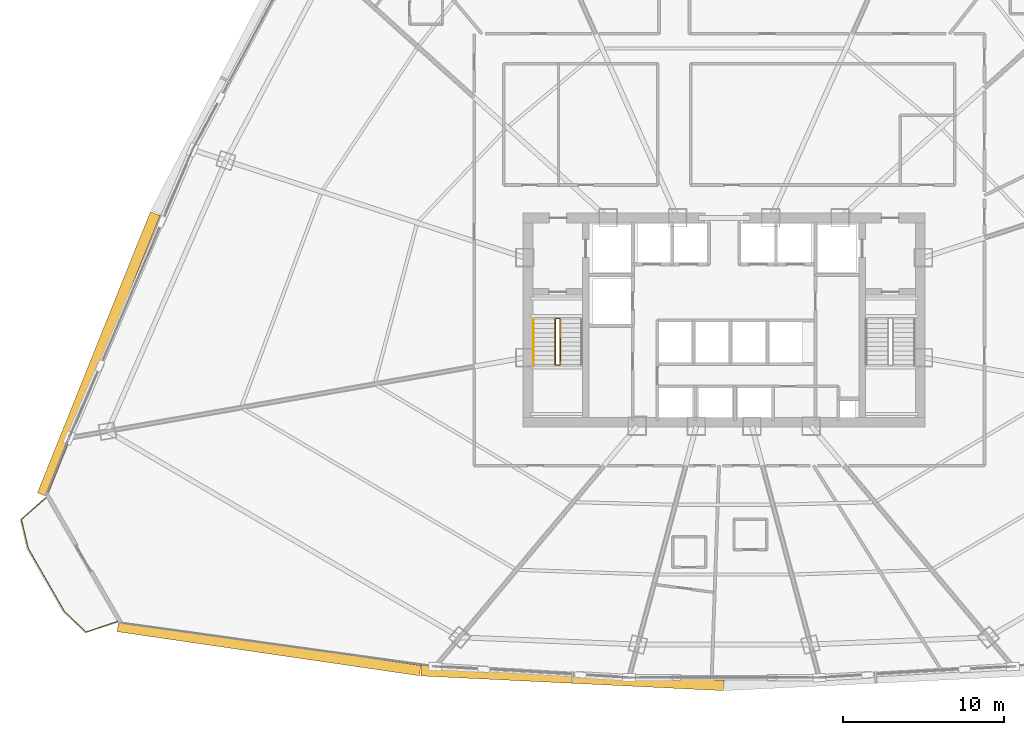
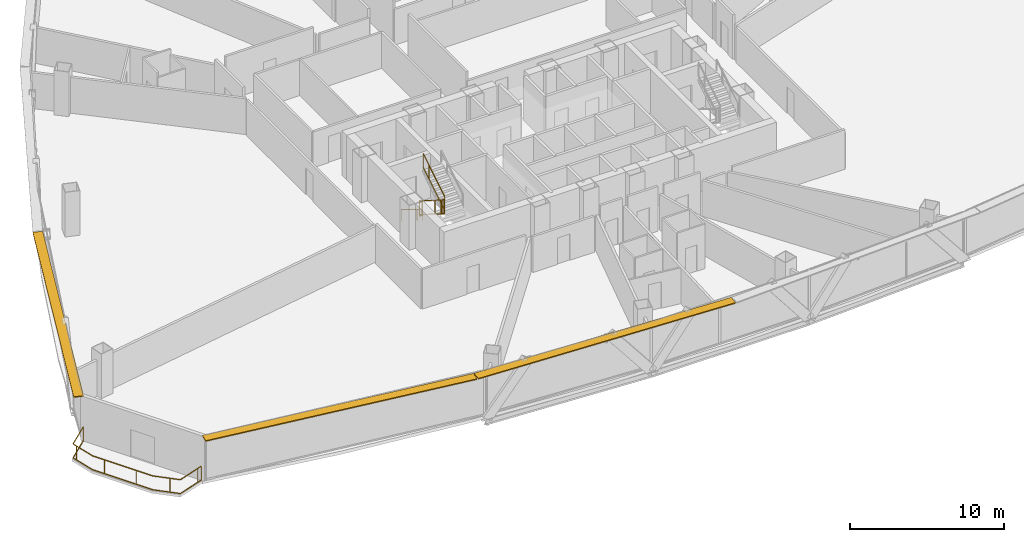
# One storey, part 35 of 38: 6 railings, 3 shading devices.
"""IFC4 building model written with IfcOpenShell, lengths in metres."""

import ifcopenshell
import ifcopenshell.guid

model = None  # the IFC model being written
_history = None  # IfcOwnerHistory: only IFC2X3 demands one
_inside = {}  # id of a spatial element -> (the spatial element, [elements in it])
_under = {}  # id of a project, library or spatial element -> (it, [spatial elements below it])
_declared = {}  # id of a project -> (the project, [libraries it declares])
_typed = {}  # id of a type object -> (the type object, [elements of that type])
_made_of = {}  # id of a material, layer set ... -> (it, [elements and type objects made of it])


def new_model(schema):
    """Start an empty IFC model of exactly this schema.

    Asked for "IFC4X3", IfcOpenShell would pick the latest addendum, in which some entities
    have other attributes; the version numbers below select the first issue.
    IFC2X3 requires an IfcOwnerHistory on every rooted entity: one is made here for all.
    """
    global model, _history
    if schema == "IFC4X3":
        model = ifcopenshell.file(schema_version=(4, 3, 0, 0))
    else:
        model = ifcopenshell.file(schema=schema)
    _inside.clear()
    _under.clear()
    _declared.clear()
    _typed.clear()
    _made_of.clear()
    _history = None
    if model.schema == "IFC2X3":
        org = make("IfcOrganization", Name="unknown")
        user = make(
            "IfcPersonAndOrganization",
            ThePerson=make("IfcPerson", FamilyName="unknown"),
            TheOrganization=org,
        )
        app = make(
            "IfcApplication",
            ApplicationDeveloper=org,
            Version="unknown",
            ApplicationFullName="unknown",
            ApplicationIdentifier="unknown",
        )
        _history = make(
            "IfcOwnerHistory",
            OwningUser=user,
            OwningApplication=app,
            ChangeAction="ADDED",
            CreationDate=0,
        )
    return model


def make(cls, **values):
    """One entity of the class cls with the attributes given. An attribute that is None is left unset."""
    return model.create_entity(
        cls, **{name: value for name, value in values.items() if value is not None}
    )


def rooted(cls, **values):
    """An entity with a GlobalId (a new one), such as an element, a storey or a relation."""
    return make(cls, GlobalId=ifcopenshell.guid.new(), OwnerHistory=_history, **values)


def si_unit(unit_type, name, prefix=None):
    """IfcSIUnit, for example si_unit("LENGTHUNIT", "METRE", prefix="MILLI")."""
    return make("IfcSIUnit", UnitType=unit_type, Prefix=prefix, Name=name)


def assignment(units):
    """IfcUnitAssignment: the units of a project."""
    return None if units is None else make("IfcUnitAssignment", Units=units)


def point(xyz):
    """IfcCartesianPoint."""
    return None if xyz is None else make("IfcCartesianPoint", Coordinates=xyz)


def direction(xyz):
    """IfcDirection."""
    return None if xyz is None else make("IfcDirection", DirectionRatios=xyz)


def frame(location, z_axis=None, x_axis=None):
    """IfcAxis2Placement3D, a coordinate frame: its origin and axes. An axis left out is left unset."""
    return make(
        "IfcAxis2Placement3D",
        Location=point(location),
        Axis=direction(z_axis),
        RefDirection=direction(x_axis),
    )


def frame_2d(location, x_axis=None):
    """IfcAxis2Placement2D, a coordinate frame in the plane: its origin and x axis."""
    return make(
        "IfcAxis2Placement2D", Location=point(location), RefDirection=direction(x_axis)
    )


def origin():
    """The frame at (0, 0, 0) with its axes left unset."""
    return frame((0.0, 0.0, 0.0))


def origin_2d():
    """The frame at (0, 0) in the plane with its x axis left unset."""
    return frame_2d((0.0, 0.0))


def place(relative_to, where):
    """IfcLocalPlacement: puts the frame where relative to a parent placement (None: the world)."""
    return make(
        "IfcLocalPlacement", PlacementRelTo=relative_to, RelativePlacement=where
    )


def context(
    kind, dimensions, precision=None, world=None, true_north=None, identifier=None
):
    """IfcGeometricRepresentationContext, for example the 3D "Model" context."""
    return make(
        "IfcGeometricRepresentationContext",
        ContextIdentifier=identifier,
        ContextType=kind,
        CoordinateSpaceDimension=dimensions,
        Precision=precision,
        WorldCoordinateSystem=world,
        TrueNorth=true_north,
    )


def subcontext(parent, identifier, kind, view, scale=None):
    """IfcGeometricRepresentationSubContext, for example "Body" below "Model"."""
    return make(
        "IfcGeometricRepresentationSubContext",
        ContextIdentifier=identifier,
        ContextType=kind,
        ParentContext=parent,
        TargetScale=scale,
        TargetView=view,
    )


def project(units=None, contexts=None):
    """IfcProject with its units and contexts."""
    return rooted(
        "IfcProject",
        Name="project",
        RepresentationContexts=contexts,
        UnitsInContext=assignment(units),
    )


def spatial(cls, under=None, at=None, **own):
    """A site, building, storey or space (cls), placed at a placement, below another one or the project."""
    s = rooted(cls, ObjectPlacement=at, **own)
    if under is not None:
        _under.setdefault(under.id(), (under, []))[1].append(s)
    return s


def profile(cls, at=None, kind="AREA", **sizes):
    """A parametric profile (cls). Its sizes go by their IFC names, for example OverallWidth=200.0."""
    return make(cls, ProfileType=kind, Position=at, **sizes)


def rectangle(**sizes):
    """IfcRectangleProfileDef."""
    return profile("IfcRectangleProfileDef", **sizes)


def extrude(swept, where, along, depth):
    """IfcExtrudedAreaSolid: the profile swept, set in the frame where, extruded along a direction by depth."""
    return make(
        "IfcExtrudedAreaSolid",
        SweptArea=swept,
        Position=where,
        ExtrudedDirection=direction(along),
        Depth=depth,
    )


def shape(context_of_items, identifier, shape_type, items):
    """IfcShapeRepresentation: the items that make up one representation, for example the "Body"."""
    return make(
        "IfcShapeRepresentation",
        ContextOfItems=context_of_items,
        RepresentationIdentifier=identifier,
        RepresentationType=shape_type,
        Items=items,
    )


def source(mapping_origin, context_of_items, identifier, shape_type, items):
    """IfcRepresentationMap: a shape defined once, which mapped items show again and again."""
    return make(
        "IfcRepresentationMap",
        MappingOrigin=mapping_origin,
        MappedRepresentation=shape(context_of_items, identifier, shape_type, items),
    )


def transform(
    local_origin,
    x_axis=None,
    y_axis=None,
    z_axis=None,
    scale=None,
    scale2=None,
    scale3=None,
    uniform=True,
):
    """IfcCartesianTransformationOperator3D, or its non-uniform kind. x_axis, y_axis, z_axis: its Axis1, 2, 3."""
    if uniform:
        return make(
            "IfcCartesianTransformationOperator3D",
            Axis1=direction(x_axis),
            Axis2=direction(y_axis),
            LocalOrigin=point(local_origin),
            Scale=scale,
            Axis3=direction(z_axis),
        )
    return make(
        "IfcCartesianTransformationOperator3DnonUniform",
        Axis1=direction(x_axis),
        Axis2=direction(y_axis),
        LocalOrigin=point(local_origin),
        Scale=scale,
        Axis3=direction(z_axis),
        Scale2=scale2,
        Scale3=scale3,
    )


def mapped(mapping_source, mapping_target):
    """IfcMappedItem: shows the shape of a source again, moved by a transform."""
    return make(
        "IfcMappedItem", MappingSource=mapping_source, MappingTarget=mapping_target
    )


def material(Name=None, Category=None):
    """IfcMaterial."""
    return make("IfcMaterial", Name=Name, Category=Category)


def layer(
    of_material, thickness, ventilated=None, Name=None, Category=None, Priority=None
):
    """IfcMaterialLayer: one layer of a wall or slab, of a material (None: an air gap)."""
    return make(
        "IfcMaterialLayer",
        Material=of_material,
        LayerThickness=thickness,
        IsVentilated=ventilated,
        Name=Name,
        Category=Category,
        Priority=Priority,
    )


def layer_set(layers, Name=None):
    """IfcMaterialLayerSet."""
    return make("IfcMaterialLayerSet", MaterialLayers=layers, LayerSetName=Name)


def made_of(thing, what):
    """Note that an element or type object is made of a material, layer set ...; save() writes the relation."""
    if what is not None:
        _made_of.setdefault(what.id(), (what, []))[1].append(thing)
    return thing


def type_object(cls, material=None, **own):
    """A type object (cls), such as IfcWallType, which elements share."""
    return made_of(rooted(cls, **own), material)


def element(
    cls,
    number,
    at=None,
    inside=None,
    cuts=None,
    type_object=None,
    material=None,
    context=None,
    identifier="Body",
    shape_type=None,
    held_by="IfcProductDefinitionShape",
    body=None,
    shapes=None,
    **own,
):
    """One element of the class cls, such as IfcWall. Its Tag is "e" and its number.

    at: its placement. inside: the storey or other place that contains it. cuts: it is an
    opening in that element (IfcRelVoidsElement). A single representation is given by context,
    identifier, shape_type and body (its items); several are given by shapes. held_by: the class
    of the entity that holds the representations. save() writes the other relations.
    """
    e = rooted(cls, Tag="e%d" % number, ObjectPlacement=at, **own)
    if body is not None:
        shapes = [shape(context, identifier, shape_type, body)]
    if shapes is not None:
        e.Representation = make(held_by, Representations=shapes)
    if inside is not None:
        _inside.setdefault(inside.id(), (inside, []))[1].append(e)
    if cuts is not None:
        rooted(
            "IfcRelVoidsElement", RelatingBuildingElement=cuts, RelatedOpeningElement=e
        )
    if type_object is not None:
        _typed.setdefault(type_object.id(), (type_object, []))[1].append(e)
    return made_of(e, material)


def aggregate(whole, parts):
    """IfcRelAggregates: a whole, such as a stair, and the parts it consists of."""
    return rooted("IfcRelAggregates", RelatingObject=whole, RelatedObjects=parts)


def save(model, path):
    """Write the relations noted so far, then the file.

    IfcRelAggregates (storeys below a building ...), IfcRelContainedInSpatialStructure (elements
    in a storey), IfcRelDefinesByType, IfcRelAssociatesMaterial and IfcRelDeclares: one each for
    every whole, place, type object, material and project.
    """
    for whole, parts in _under.values():
        aggregate(whole, parts)
    for where, things in _inside.values():
        rooted(
            "IfcRelContainedInSpatialStructure",
            RelatedElements=things,
            RelatingStructure=where,
        )
    for kind, things in _typed.values():
        rooted("IfcRelDefinesByType", RelatedObjects=things, RelatingType=kind)
    for what, things in _made_of.values():
        rooted("IfcRelAssociatesMaterial", RelatedObjects=things, RelatingMaterial=what)
    for by, libraries in _declared.values():
        rooted("IfcRelDeclares", RelatingContext=by, RelatedDefinitions=libraries)
    model.write(path)


model = new_model("IFC4")

# Units and contexts
model_context = context("Model", 3, precision=1e-05, world=origin(), true_north=direction((0.0, 1.0)))
body_context = subcontext(model_context, "Body", "Model", "MODEL_VIEW")
ifc_project = project(units=[si_unit("LENGTHUNIT", "METRE"), si_unit("AREAUNIT", "SQUARE_METRE"), si_unit("VOLUMEUNIT", "CUBIC_METRE"), si_unit("PLANEANGLEUNIT", "RADIAN"), si_unit("MASSUNIT", "GRAM", prefix="KILO"), si_unit("THERMODYNAMICTEMPERATUREUNIT", "KELVIN"), si_unit("POWERUNIT", "WATT")], contexts=[model_context])

# Site, building, storey
site_placement = place(None, origin())
site = spatial("IfcSite", under=ifc_project, at=site_placement, CompositionType="ELEMENT")
building_placement = place(site_placement, origin())
building = spatial("IfcBuilding", under=site, at=building_placement, Name="Yunzhuo Pagoda Commons", CompositionType="ELEMENT")
storey_placement = place(building_placement, frame((0.0, 0.0, 81.179931640625)))
storey = spatial("IfcBuildingStorey", under=building, at=storey_placement, Name="L20", CompositionType="ELEMENT", Elevation=81.179931640625)

# Railings
ifc_material = material(Name="Anodized aluminium 6063-T6", Category="aluminium")
railing_type_1 = type_object("IfcRailingType", Name="GR-ST1 Stair Well Guardrail 1150", PredefinedType="GUARDRAIL", material=ifc_material)
railing_1_placement = place(storey_placement, frame((37.5, 33.89990234375, 0.1728515625)))
element("IfcRailing", 1, at=railing_1_placement, inside=storey, type_object=railing_type_1, Name="L20 ST1 stair guard 1", PredefinedType="GUARDRAIL", context=body_context, shape_type="SweptSolid", body=[
    extrude(rectangle(XDim=0.048095703125, YDim=0.048095703125, at=origin_2d()), frame((0.0, 0.0, 1.1259765625), z_axis=(0.0, -0.851069175582, 0.525053576669), x_axis=(1.0, 0.0, 0.0)), (0.0, 0.0, 1.0), 3.289794921875),
    extrude(rectangle(XDim=0.048095703125, YDim=0.048095703125, at=origin_2d()), frame((0.0, 0.0, 0.02392578125), z_axis=(0.0, -0.851069175582, 0.525053576669), x_axis=(1.0, 0.0, 0.0)), (0.0, 0.0, 1.0), 3.289794921875),
    extrude(rectangle(XDim=0.0419921875, YDim=0.0419921875, at=origin_2d()), origin(), (0.0, 0.0, 1.0), 1.101806640625),
    extrude(rectangle(XDim=0.0419921875, YDim=0.0419921875, at=origin_2d()), frame((0.0, -2.04248046875, 1.260009765625)), (0.0, 0.0, 1.0), 1.101806640625),
    extrude(rectangle(XDim=0.0419921875, YDim=0.0419921875, at=origin_2d()), frame((0.0, -2.7998046875, 1.727294921875)), (0.0, 0.0, 1.0), 1.101806640625),
])
railing_2_placement = place(storey_placement, frame((37.550048828125, 31.050048828125, 1.900146484375)))
element("IfcRailing", 2, at=railing_2_placement, inside=storey, type_object=railing_type_1, Name="L20 ST1 stair guard 2", PredefinedType="GUARDRAIL", context=body_context, shape_type="SweptSolid", body=[
    extrude(rectangle(XDim=0.048095703125, YDim=0.048095703125, at=origin_2d()), frame((0.0, 0.0, 1.1259765625), z_axis=(1.0, 0.0, 0.0), x_axis=(0.0, 1.0, 0.0)), (0.0, 0.0, 1.0), 0.199951171875),
    extrude(rectangle(XDim=0.048095703125, YDim=0.048095703125, at=origin_2d()), frame((0.0, 0.0, 0.02392578125), z_axis=(1.0, 0.0, 0.0), x_axis=(0.0, 1.0, 0.0)), (0.0, 0.0, 1.0), 0.199951171875),
    extrude(rectangle(XDim=0.0419921875, YDim=0.0419921875, at=origin_2d()), origin(), (0.0, 0.0, 1.0), 1.101806640625),
    extrude(rectangle(XDim=0.0419921875, YDim=0.0419921875, at=origin_2d()), frame((0.199951171875, 0.0, 0.0)), (0.0, 0.0, 1.0), 1.101806640625),
])
railing_3_placement = place(storey_placement, frame((37.800048828125, 31.10009765625, 2.07275390625)))
element("IfcRailing", 3, at=railing_3_placement, inside=storey, type_object=railing_type_1, Name="L20 ST1 stair guard 3", PredefinedType="GUARDRAIL", context=body_context, shape_type="SweptSolid", body=[
    extrude(rectangle(XDim=0.048095703125, YDim=0.048095703125, at=origin_2d()), frame((0.0, 0.0, 1.1259765625), z_axis=(0.0, 0.851069175582, 0.525053576669), x_axis=(-1.0, 0.0, 0.0)), (0.0, 0.0, 1.0), 3.289794921875),
    extrude(rectangle(XDim=0.048095703125, YDim=0.048095703125, at=origin_2d()), frame((0.0, 0.0, 0.02392578125), z_axis=(0.0, 0.851069175582, 0.525053576669), x_axis=(-1.0, 0.0, 0.0)), (0.0, 0.0, 1.0), 3.289794921875),
    extrude(rectangle(XDim=0.0419921875, YDim=0.0419921875, at=origin_2d()), origin(), (0.0, 0.0, 1.0), 1.101806640625),
    extrude(rectangle(XDim=0.0419921875, YDim=0.0419921875, at=origin_2d()), frame((0.0, 2.04248046875, 1.260009765625)), (0.0, 0.0, 1.0), 1.101806640625),
    extrude(rectangle(XDim=0.0419921875, YDim=0.0419921875, at=origin_2d()), frame((0.0, 2.7998046875, 1.727294921875)), (0.0, 0.0, 1.0), 1.101806640625),
])
railing_4_placement = place(storey_placement, frame((37.550048828125, 33.949951171875, 0.0)))
element("IfcRailing", 4, at=railing_4_placement, inside=storey, type_object=railing_type_1, Name="L20 ST1 stair guard 4", PredefinedType="GUARDRAIL", context=body_context, shape_type="SweptSolid", body=[
    extrude(rectangle(XDim=0.048095703125, YDim=0.048095703125, at=origin_2d()), frame((0.0, 0.0, 1.1259765625), z_axis=(1.0, 0.0, 0.0), x_axis=(0.0, 1.0, 0.0)), (0.0, 0.0, 1.0), 0.199951171875),
    extrude(rectangle(XDim=0.048095703125, YDim=0.048095703125, at=origin_2d()), frame((0.0, 0.0, 0.02392578125), z_axis=(1.0, 0.0, 0.0), x_axis=(0.0, 1.0, 0.0)), (0.0, 0.0, 1.0), 0.199951171875),
    extrude(rectangle(XDim=0.0419921875, YDim=0.0419921875, at=origin_2d()), origin(), (0.0, 0.0, 1.0), 1.101806640625),
    extrude(rectangle(XDim=0.0419921875, YDim=0.0419921875, at=origin_2d()), frame((0.199951171875, 0.0, 0.0)), (0.0, 0.0, 1.0), 1.101806640625),
])
railing_type_2 = type_object("IfcRailingType", Name="HR-ST1 Stair Handrail 900", PredefinedType="HANDRAIL", material=ifc_material)
railing_5_placement = place(storey_placement, frame((36.14990234375, 33.89990234375, 0.1728515625)))
element("IfcRailing", 5, at=railing_5_placement, inside=storey, type_object=railing_type_2, Name="L20 ST1 stair handrail 1", PredefinedType="HANDRAIL", context=body_context, shape_type="SweptSolid", body=[
    extrude(rectangle(XDim=0.048095703125, YDim=0.048095703125, at=origin_2d()), frame((0.0, 0.0, 0.8759765625), z_axis=(0.0, -0.851069175582, 0.525053576669), x_axis=(1.0, 0.0, 0.0)), (0.0, 0.0, 1.0), 3.289794921875),
    extrude(rectangle(XDim=0.0419921875, YDim=0.0419921875, at=origin_2d()), origin(), (0.0, 0.0, 1.0), 0.851806640625),
    extrude(rectangle(XDim=0.0419921875, YDim=0.0419921875, at=origin_2d()), frame((0.0, -2.04248046875, 1.260009765625)), (0.0, 0.0, 1.0), 0.851806640625),
    extrude(rectangle(XDim=0.0419921875, YDim=0.0419921875, at=origin_2d()), frame((0.0, -2.7998046875, 1.727294921875)), (0.0, 0.0, 1.0), 0.851806640625),
])
railing_type_3 = type_object("IfcRailingType", Name="RL-BAL1 Exterior Terrace & Balcony Balustrade 1150", PredefinedType="BALUSTRADE", material=ifc_material)
railing_6_placement = place(storey_placement, frame((5.83984375, 22.801025390625, 0.0)))
element("IfcRailing", 6, at=railing_6_placement, inside=storey, type_object=railing_type_3, Name="L20 corner balcony balustrade V1", PredefinedType="BALUSTRADE", context=body_context, shape_type="SweptSolid", body=[
    extrude(rectangle(XDim=0.048095703125, YDim=0.048095703125, at=origin_2d()), frame((0.0, 0.0, 1.1259765625), z_axis=(-0.753992555518, -0.656882962348, 0.0), x_axis=(0.656882962348, -0.753992555518, 0.0)), (0.0, 0.0, 1.0), 2.05908203125),
    extrude(rectangle(XDim=0.048095703125, YDim=0.048095703125, at=origin_2d()), frame((0.0, 0.0, 0.02392578125), z_axis=(-0.753992555518, -0.656882962348, 0.0), x_axis=(0.656882962348, -0.753992555518, 0.0)), (0.0, 0.0, 1.0), 2.05908203125),
    extrude(rectangle(XDim=0.048095703125, YDim=0.048095703125, at=origin_2d()), frame((-1.552490234375, -1.3525390625, 1.1259765625), z_axis=(0.229837631651, -0.973228987997, 0.0), x_axis=(0.973228987997, 0.229837631651, 0.0)), (0.0, 0.0, 1.0), 1.85791015625),
    extrude(rectangle(XDim=0.048095703125, YDim=0.048095703125, at=origin_2d()), frame((-1.552490234375, -1.3525390625, 0.02392578125), z_axis=(0.229837631651, -0.973228987997, 0.0), x_axis=(0.973228987997, 0.229837631651, 0.0)), (0.0, 0.0, 1.0), 1.85791015625),
    extrude(rectangle(XDim=0.048095703125, YDim=0.048095703125, at=origin_2d()), frame((-1.12548828125, -3.16064453125, 1.1259765625), z_axis=(0.497899857491, -0.867234531088, 0.0), x_axis=(0.867234531088, 0.497899857491, 0.0)), (0.0, 0.0, 1.0), 4.521484375),
    extrude(rectangle(XDim=0.048095703125, YDim=0.048095703125, at=origin_2d()), frame((-1.12548828125, -3.16064453125, 0.02392578125), z_axis=(0.497899857491, -0.867234531088, 0.0), x_axis=(0.867234531088, 0.497899857491, 0.0)), (0.0, 0.0, 1.0), 4.521484375),
    extrude(rectangle(XDim=0.048095703125, YDim=0.048095703125, at=origin_2d()), frame((1.125732421875, -7.081787109375, 1.1259765625), z_axis=(0.724687687273, -0.689077467282, 0.0), x_axis=(0.689077467282, 0.724687687273, 0.0)), (0.0, 0.0, 1.0), 1.85791015625),
    extrude(rectangle(XDim=0.048095703125, YDim=0.048095703125, at=origin_2d()), frame((1.125732421875, -7.081787109375, 0.02392578125), z_axis=(0.724687687273, -0.689077467282, 0.0), x_axis=(0.689077467282, 0.724687687273, 0.0)), (0.0, 0.0, 1.0), 1.85791015625),
    extrude(rectangle(XDim=0.048095703125, YDim=0.048095703125, at=origin_2d()), frame((2.47216796875, -8.362060546875, 1.1259765625), z_axis=(0.947419062147, 0.319995501031, 0.0), x_axis=(-0.319995501031, 0.947419062147, 0.0)), (0.0, 0.0, 1.0), 2.05908203125),
    extrude(rectangle(XDim=0.048095703125, YDim=0.048095703125, at=origin_2d()), frame((2.47216796875, -8.362060546875, 0.02392578125), z_axis=(0.947419062147, 0.319995501031, 0.0), x_axis=(-0.319995501031, 0.947419062147, 0.0)), (0.0, 0.0, 1.0), 2.05908203125),
    extrude(rectangle(XDim=0.0419921875, YDim=0.0419921875, at=origin_2d()), origin(), (0.0, 0.0, 1.0), 1.101806640625),
    extrude(rectangle(XDim=0.0419921875, YDim=0.0419921875, at=origin_2d()), frame((-1.47412109375, -1.684326171875, 0.0)), (0.0, 0.0, 1.0), 1.101806640625),
    extrude(rectangle(XDim=0.0419921875, YDim=0.0419921875, at=origin_2d()), frame((-0.685791015625, -3.926513671875, 0.0)), (0.0, 0.0, 1.0), 1.101806640625),
    extrude(rectangle(XDim=0.0419921875, YDim=0.0419921875, at=origin_2d()), frame((0.50927734375, -6.0078125, 0.0)), (0.0, 0.0, 1.0), 1.101806640625),
    extrude(rectangle(XDim=0.0419921875, YDim=0.0419921875, at=origin_2d()), frame((1.967529296875, -7.88232421875, 0.0)), (0.0, 0.0, 1.0), 1.101806640625),
    extrude(rectangle(XDim=0.0419921875, YDim=0.0419921875, at=origin_2d()), frame((4.08642578125, -7.81689453125, 0.0)), (0.0, 0.0, 1.0), 1.101806640625),
    extrude(rectangle(XDim=0.0419921875, YDim=0.0419921875, at=origin_2d()), frame((4.423095703125, -7.703125, 0.0)), (0.0, 0.0, 1.0), 1.101806640625),
])

# Shading devices
ifc_layer = layer(ifc_material, 0.080078125)
ifc_layer_set = layer_set([ifc_layer], Name="Anodized aluminium 6063-T6")
shading_device_type = type_object("IfcShadingDeviceType", Name="SH-SUN1 Pagoda Horizontal Sunshade Eave 650", PredefinedType="USERDEFINED", material=ifc_layer_set)
shared_shape_1 = source(origin(), body_context, "Body", "SweptSolid", [
    extrude(rectangle(XDim=19.008544921875, YDim=0.64990234375, at=origin_2d()), origin(), (0.0, 0.0, 1.0), 0.080078125),
])
shading_device_1_placement = place(storey_placement, frame((19.6923828125, 13.415283203125, 3.4599609375), z_axis=(0.0, 0.0, 1.0), x_axis=(0.989510666697, -0.144459823108, 0.0)))
element("IfcShadingDevice", 7, at=shading_device_1_placement, inside=storey, type_object=shading_device_type, Name="L20 horizontal pagoda sunshade eave F1.1", ObjectType="SUNSHADE", PredefinedType="USERDEFINED", context=body_context, shape_type="MappedRepresentation", body=[
    mapped(shared_shape_1, transform((0.0, 0.0, 0.0), scale=1.0)),
])
shared_shape_2 = source(origin(), body_context, "Body", "SweptSolid", [
    extrude(rectangle(XDim=18.830810546875, YDim=0.64990234375, at=origin_2d()), origin(), (0.0, 0.0, 1.0), 0.080078125),
])
shading_device_2_placement = place(storey_placement, frame((38.56396484375, 11.57861328125, 3.4599609375), z_axis=(0.0, 0.0, 1.0), x_axis=(0.998818043775, -0.04860571396, 0.0)))
element("IfcShadingDevice", 8, at=shading_device_2_placement, inside=storey, type_object=shading_device_type, Name="L20 horizontal pagoda sunshade eave F1.2", ObjectType="SUNSHADE", PredefinedType="USERDEFINED", context=body_context, shape_type="MappedRepresentation", body=[
    mapped(shared_shape_2, transform((0.0, 0.0, 0.0), scale=1.0)),
])
shared_shape_3 = source(origin(), body_context, "Body", "SweptSolid", [
    extrude(rectangle(XDim=18.855712890625, YDim=0.64990234375, at=origin_2d()), origin(), (0.0, 0.0, 1.0), 0.080078125),
])
shading_device_3_placement = place(storey_placement, frame((9.101318359375, 31.72607421875, 3.4599609375), z_axis=(0.0, 0.0, 1.0), x_axis=(-0.373003976317, -0.927829743893, 0.0)))
element("IfcShadingDevice", 9, at=shading_device_3_placement, inside=storey, type_object=shading_device_type, Name="L20 horizontal pagoda sunshade eave F3.4", ObjectType="SUNSHADE", PredefinedType="USERDEFINED", context=body_context, shape_type="MappedRepresentation", body=[
    mapped(shared_shape_3, transform((0.0, 0.0, 0.0), scale=1.0)),
])

save(model, "model.ifc")
